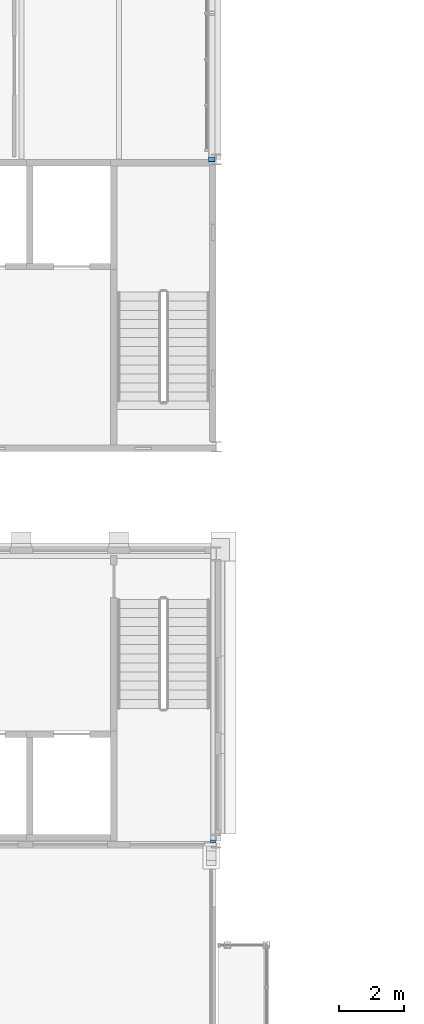
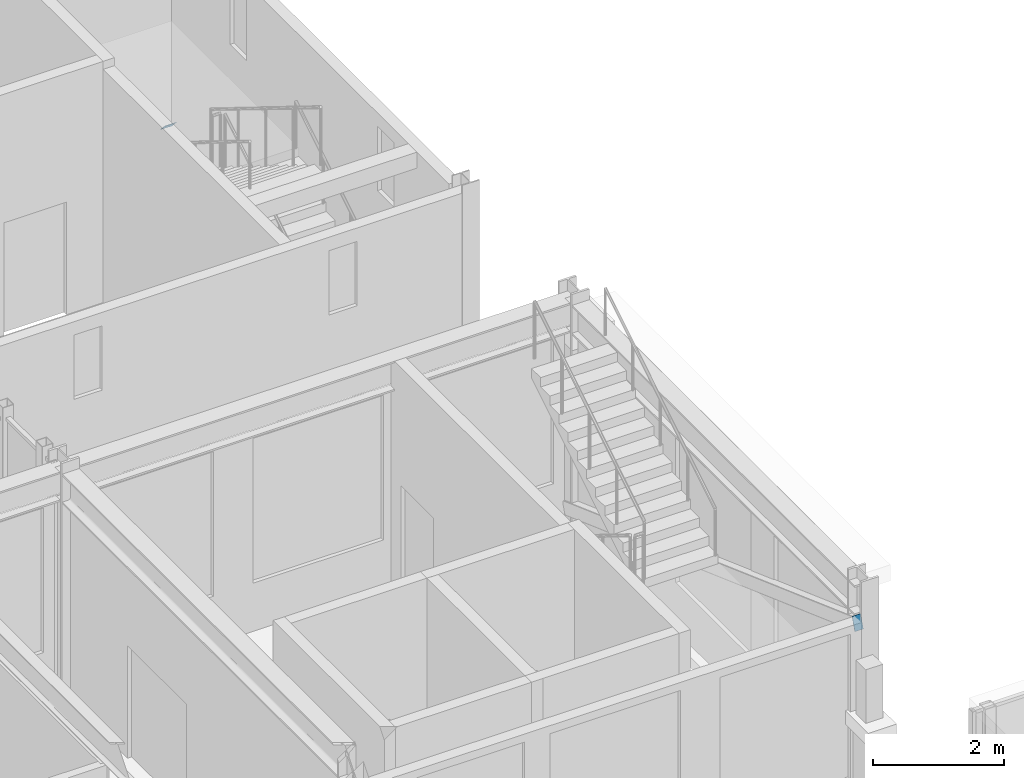
# One storey, part 86 of 111: 2 discrete accessories.
"""IFC4 building model written with IfcOpenShell, lengths in metres."""

import ifcopenshell
import ifcopenshell.guid

model = None  # the IFC model being written
_history = None  # IfcOwnerHistory: only IFC2X3 demands one
_inside = {}  # id of a spatial element -> (the spatial element, [elements in it])
_under = {}  # id of a project, library or spatial element -> (it, [spatial elements below it])
_declared = {}  # id of a project -> (the project, [libraries it declares])
_typed = {}  # id of a type object -> (the type object, [elements of that type])
_made_of = {}  # id of a material, layer set ... -> (it, [elements and type objects made of it])


def new_model(schema):
    """Start an empty IFC model of exactly this schema.

    Asked for "IFC4X3", IfcOpenShell would pick the latest addendum, in which some entities
    have other attributes; the version numbers below select the first issue.
    IFC2X3 requires an IfcOwnerHistory on every rooted entity: one is made here for all.
    """
    global model, _history
    if schema == "IFC4X3":
        model = ifcopenshell.file(schema_version=(4, 3, 0, 0))
    else:
        model = ifcopenshell.file(schema=schema)
    _inside.clear()
    _under.clear()
    _declared.clear()
    _typed.clear()
    _made_of.clear()
    _history = None
    if model.schema == "IFC2X3":
        org = make("IfcOrganization", Name="unknown")
        user = make(
            "IfcPersonAndOrganization",
            ThePerson=make("IfcPerson", FamilyName="unknown"),
            TheOrganization=org,
        )
        app = make(
            "IfcApplication",
            ApplicationDeveloper=org,
            Version="unknown",
            ApplicationFullName="unknown",
            ApplicationIdentifier="unknown",
        )
        _history = make(
            "IfcOwnerHistory",
            OwningUser=user,
            OwningApplication=app,
            ChangeAction="ADDED",
            CreationDate=0,
        )
    return model


def make(cls, **values):
    """One entity of the class cls with the attributes given. An attribute that is None is left unset."""
    return model.create_entity(
        cls, **{name: value for name, value in values.items() if value is not None}
    )


def rooted(cls, **values):
    """An entity with a GlobalId (a new one), such as an element, a storey or a relation."""
    return make(cls, GlobalId=ifcopenshell.guid.new(), OwnerHistory=_history, **values)


def si_unit(unit_type, name, prefix=None):
    """IfcSIUnit, for example si_unit("LENGTHUNIT", "METRE", prefix="MILLI")."""
    return make("IfcSIUnit", UnitType=unit_type, Prefix=prefix, Name=name)


def assignment(units):
    """IfcUnitAssignment: the units of a project."""
    return None if units is None else make("IfcUnitAssignment", Units=units)


def point(xyz):
    """IfcCartesianPoint."""
    return None if xyz is None else make("IfcCartesianPoint", Coordinates=xyz)


def direction(xyz):
    """IfcDirection."""
    return None if xyz is None else make("IfcDirection", DirectionRatios=xyz)


def frame(location, z_axis=None, x_axis=None):
    """IfcAxis2Placement3D, a coordinate frame: its origin and axes. An axis left out is left unset."""
    return make(
        "IfcAxis2Placement3D",
        Location=point(location),
        Axis=direction(z_axis),
        RefDirection=direction(x_axis),
    )


def frame_2d(location, x_axis=None):
    """IfcAxis2Placement2D, a coordinate frame in the plane: its origin and x axis."""
    return make(
        "IfcAxis2Placement2D", Location=point(location), RefDirection=direction(x_axis)
    )


def origin():
    """The frame at (0, 0, 0) with its axes left unset."""
    return frame((0.0, 0.0, 0.0))


def origin_2d():
    """The frame at (0, 0) in the plane with its x axis left unset."""
    return frame_2d((0.0, 0.0))


def place(relative_to, where):
    """IfcLocalPlacement: puts the frame where relative to a parent placement (None: the world)."""
    return make(
        "IfcLocalPlacement", PlacementRelTo=relative_to, RelativePlacement=where
    )


def context(
    kind, dimensions, precision=None, world=None, true_north=None, identifier=None
):
    """IfcGeometricRepresentationContext, for example the 3D "Model" context."""
    return make(
        "IfcGeometricRepresentationContext",
        ContextIdentifier=identifier,
        ContextType=kind,
        CoordinateSpaceDimension=dimensions,
        Precision=precision,
        WorldCoordinateSystem=world,
        TrueNorth=true_north,
    )


def subcontext(parent, identifier, kind, view, scale=None):
    """IfcGeometricRepresentationSubContext, for example "Body" below "Model"."""
    return make(
        "IfcGeometricRepresentationSubContext",
        ContextIdentifier=identifier,
        ContextType=kind,
        ParentContext=parent,
        TargetScale=scale,
        TargetView=view,
    )


def project(units=None, contexts=None):
    """IfcProject with its units and contexts."""
    return rooted(
        "IfcProject",
        Name="project",
        RepresentationContexts=contexts,
        UnitsInContext=assignment(units),
    )


def spatial(cls, under=None, at=None, **own):
    """A site, building, storey or space (cls), placed at a placement, below another one or the project."""
    s = rooted(cls, ObjectPlacement=at, **own)
    if under is not None:
        _under.setdefault(under.id(), (under, []))[1].append(s)
    return s


def profile(cls, at=None, kind="AREA", **sizes):
    """A parametric profile (cls). Its sizes go by their IFC names, for example OverallWidth=200.0."""
    return make(cls, ProfileType=kind, Position=at, **sizes)


def rectangle(**sizes):
    """IfcRectangleProfileDef."""
    return profile("IfcRectangleProfileDef", **sizes)


def extrude(swept, where, along, depth):
    """IfcExtrudedAreaSolid: the profile swept, set in the frame where, extruded along a direction by depth."""
    return make(
        "IfcExtrudedAreaSolid",
        SweptArea=swept,
        Position=where,
        ExtrudedDirection=direction(along),
        Depth=depth,
    )


def shape(context_of_items, identifier, shape_type, items):
    """IfcShapeRepresentation: the items that make up one representation, for example the "Body"."""
    return make(
        "IfcShapeRepresentation",
        ContextOfItems=context_of_items,
        RepresentationIdentifier=identifier,
        RepresentationType=shape_type,
        Items=items,
    )


def material(Name=None, Category=None):
    """IfcMaterial."""
    return make("IfcMaterial", Name=Name, Category=Category)


def material_profile(
    of_material, cross_section, Name=None, Category=None, Priority=None
):
    """IfcMaterialProfile: a cross section and its material."""
    return make(
        "IfcMaterialProfile",
        Name=Name,
        Material=of_material,
        Profile=cross_section,
        Priority=Priority,
        Category=Category,
    )


def profile_set(profiles, Name=None, composite=None):
    """IfcMaterialProfileSet."""
    return make(
        "IfcMaterialProfileSet",
        Name=Name,
        MaterialProfiles=profiles,
        CompositeProfile=composite,
    )


def made_of(thing, what):
    """Note that an element or type object is made of a material, layer set ...; save() writes the relation."""
    if what is not None:
        _made_of.setdefault(what.id(), (what, []))[1].append(thing)
    return thing


def type_object(cls, material=None, **own):
    """A type object (cls), such as IfcWallType, which elements share."""
    return made_of(rooted(cls, **own), material)


def element(
    cls,
    number,
    at=None,
    inside=None,
    cuts=None,
    type_object=None,
    material=None,
    context=None,
    identifier="Body",
    shape_type=None,
    held_by="IfcProductDefinitionShape",
    body=None,
    shapes=None,
    **own,
):
    """One element of the class cls, such as IfcWall. Its Tag is "e" and its number.

    at: its placement. inside: the storey or other place that contains it. cuts: it is an
    opening in that element (IfcRelVoidsElement). A single representation is given by context,
    identifier, shape_type and body (its items); several are given by shapes. held_by: the class
    of the entity that holds the representations. save() writes the other relations.
    """
    e = rooted(cls, Tag="e%d" % number, ObjectPlacement=at, **own)
    if body is not None:
        shapes = [shape(context, identifier, shape_type, body)]
    if shapes is not None:
        e.Representation = make(held_by, Representations=shapes)
    if inside is not None:
        _inside.setdefault(inside.id(), (inside, []))[1].append(e)
    if cuts is not None:
        rooted(
            "IfcRelVoidsElement", RelatingBuildingElement=cuts, RelatedOpeningElement=e
        )
    if type_object is not None:
        _typed.setdefault(type_object.id(), (type_object, []))[1].append(e)
    return made_of(e, material)


def aggregate(whole, parts):
    """IfcRelAggregates: a whole, such as a stair, and the parts it consists of."""
    return rooted("IfcRelAggregates", RelatingObject=whole, RelatedObjects=parts)


def save(model, path):
    """Write the relations noted so far, then the file.

    IfcRelAggregates (storeys below a building ...), IfcRelContainedInSpatialStructure (elements
    in a storey), IfcRelDefinesByType, IfcRelAssociatesMaterial and IfcRelDeclares: one each for
    every whole, place, type object, material and project.
    """
    for whole, parts in _under.values():
        aggregate(whole, parts)
    for where, things in _inside.values():
        rooted(
            "IfcRelContainedInSpatialStructure",
            RelatedElements=things,
            RelatingStructure=where,
        )
    for kind, things in _typed.values():
        rooted("IfcRelDefinesByType", RelatedObjects=things, RelatingType=kind)
    for what, things in _made_of.values():
        rooted("IfcRelAssociatesMaterial", RelatedObjects=things, RelatingMaterial=what)
    for by, libraries in _declared.values():
        rooted("IfcRelDeclares", RelatingContext=by, RelatedDefinitions=libraries)
    model.write(path)


model = new_model("IFC4")

# Units and contexts
model_context = context("Model", 3, precision=1e-05, world=origin(), true_north=direction((0.0, 1.0)))
body_context = subcontext(model_context, "Body", "Model", "MODEL_VIEW")
ifc_project = project(units=[si_unit("LENGTHUNIT", "METRE"), si_unit("AREAUNIT", "SQUARE_METRE"), si_unit("VOLUMEUNIT", "CUBIC_METRE"), si_unit("PLANEANGLEUNIT", "RADIAN"), si_unit("MASSUNIT", "GRAM", prefix="KILO")], contexts=[model_context])

# Site, building, storey
site_placement = place(None, origin())
site = spatial("IfcSite", under=ifc_project, at=site_placement, CompositionType="ELEMENT")
building_placement = place(site_placement, origin())
building = spatial("IfcBuilding", under=site, at=building_placement, Name="Kallimachos Central Library", CompositionType="ELEMENT")
storey_placement = place(building_placement, frame((0.0, 0.0, 14.39990234375)))
storey = spatial("IfcBuildingStorey", under=building, at=storey_placement, Name="L03", CompositionType="ELEMENT", Elevation=14.39990234375)

# Discrete accessories
ifc_material_1 = material(Name="Steel S355J2", Category="steel")
ifc_material_profile_1 = material_profile(ifc_material_1, rectangle(XDim=0.14990234375, YDim=0.25, at=origin_2d()), Name="End cap plate 10, 150x250")
ifc_profile_set_1 = profile_set([ifc_material_profile_1], Name="Steel S355J2")
discrete_accessory_type_1 = type_object("IfcDiscreteAccessoryType", Name="End cap plate 10, 150x250", PredefinedType="BRACKET", material=ifc_profile_set_1)
discrete_accessory_1_placement = place(storey_placement, frame((110.39990234375, 75.0, 3.60009765625), z_axis=(0.0, -0.941194670762, 0.337864753607), x_axis=(1.0, 0.0, 0.0)))
element("IfcDiscreteAccessory", 1, at=discrete_accessory_1_placement, inside=storey, type_object=discrete_accessory_type_1, Name="End cap plate", PredefinedType="BRACKET", context=body_context, shape_type="SweptSolid", body=[
    extrude(rectangle(XDim=0.14990234375, YDim=0.25, at=origin_2d()), origin(), (0.0, 0.0, 1.0), 0.010009765625),
])
ifc_material_2 = material(Name="Steel S355J2", Category="steel")
ifc_material_profile_2 = material_profile(ifc_material_2, rectangle(XDim=0.199951171875, YDim=0.199951171875, at=origin_2d()), Name="End cap plate 10, 200x200")
ifc_profile_set_2 = profile_set([ifc_material_profile_2], Name="Steel S355J2")
discrete_accessory_type_2 = type_object("IfcDiscreteAccessoryType", Name="End cap plate 10, 200x200", PredefinedType="BRACKET", material=ifc_profile_set_2)
discrete_accessory_2_placement = place(storey_placement, frame((110.364990234375, 95.99267578125, 0.143310546875), z_axis=(0.0, 0.731055268243, 0.68231825036), x_axis=(-1.0, 0.0, 0.0)))
element("IfcDiscreteAccessory", 2, at=discrete_accessory_2_placement, inside=storey, type_object=discrete_accessory_type_2, Name="End cap plate", PredefinedType="BRACKET", context=body_context, shape_type="SweptSolid", body=[
    extrude(rectangle(XDim=0.199951171875, YDim=0.199951171875, at=origin_2d()), origin(), (0.0, 0.0, 1.0), 0.010009765625),
])

save(model, "model.ifc")
